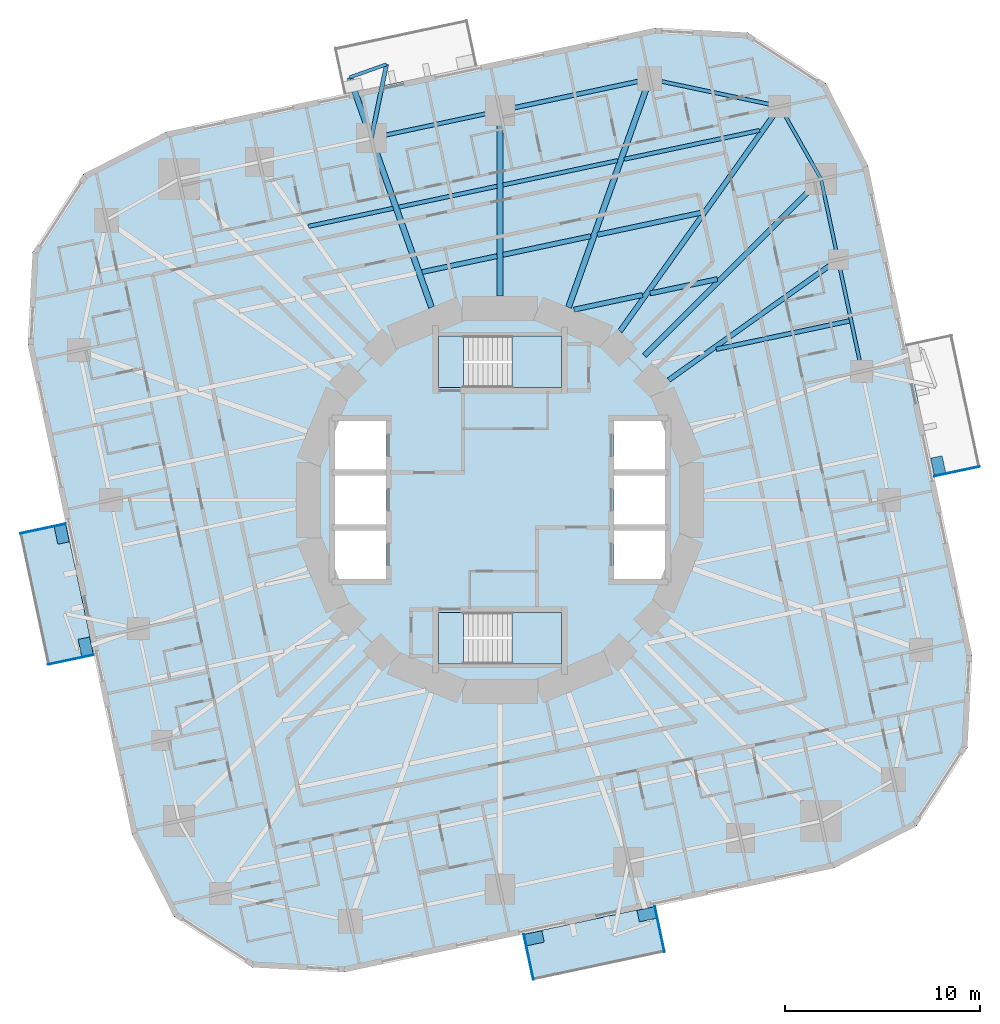
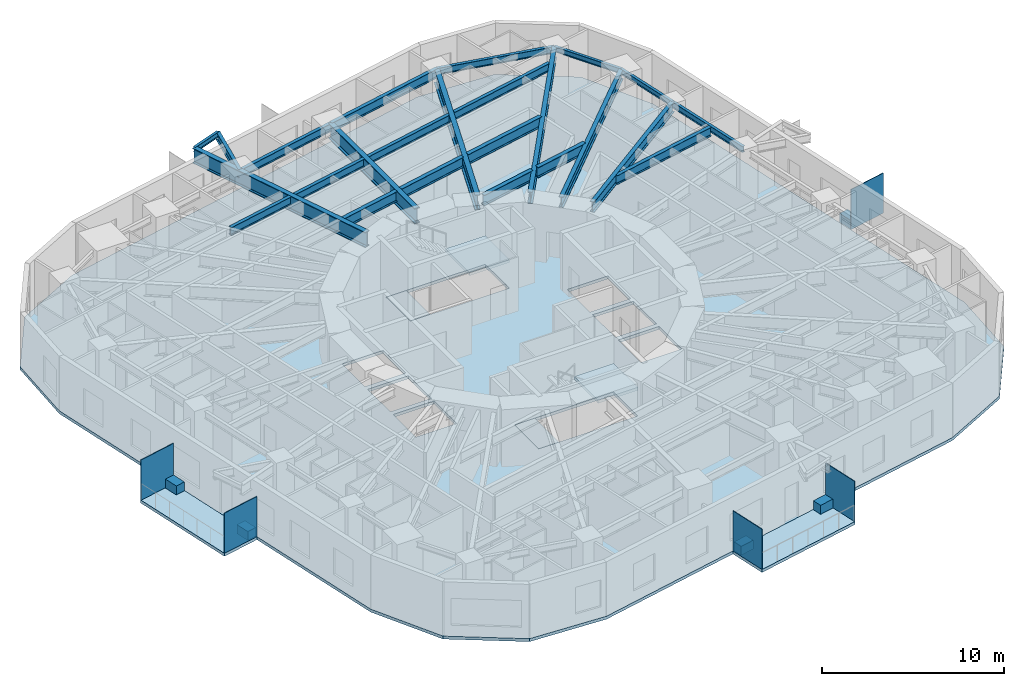
# One storey, part 3 of 14: 24 beams, 10 plates, 7 slabs, 2 elements without a shape of their own.
"""IFC4 building model written with IfcOpenShell, lengths in metres."""

from ifc_helpers import new_model, si_unit, direction, frame, origin, origin_2d, place, context, subcontext, project, spatial, polyline, rectangle, i_section, outline, extrude, material, layer, layer_set, material_profile, profile_set, type_object, element, aggregate, save


model = new_model("IFC4")

# Units and contexts
model_context = context("Model", 3, precision=1e-05, world=origin(), true_north=direction((0.0, 1.0)))
body_context = subcontext(model_context, "Body", "Model", "MODEL_VIEW")
ifc_project = project(units=[si_unit("LENGTHUNIT", "METRE"), si_unit("AREAUNIT", "SQUARE_METRE"), si_unit("VOLUMEUNIT", "CUBIC_METRE"), si_unit("PLANEANGLEUNIT", "RADIAN"), si_unit("MASSUNIT", "GRAM", prefix="KILO")], contexts=[model_context])

# Site, building, storey
site_placement = place(None, origin())
site = spatial("IfcSite", under=ifc_project, at=site_placement, CompositionType="ELEMENT")
building_placement = place(site_placement, origin())
building = spatial("IfcBuilding", under=site, at=building_placement, Name="Nakasero Lantern House", CompositionType="ELEMENT")
storey_placement = place(building_placement, frame((0.0, 0.0, 112.699951171875)))
storey = spatial("IfcBuildingStorey", under=building, at=storey_placement, Name="L27", CompositionType="ELEMENT", Elevation=112.699951171875)

# Beams
ifc_material_1 = material(Name="Steel S355", Category="steel")
ifc_material_profile_1 = material_profile(ifc_material_1, i_section(OverallWidth=0.2138671875, OverallDepth=0.549072265625, WebThickness=0.0146484375, FlangeThickness=0.023681640625, FilletRadius=0.0126953125, at=origin_2d()), Name="UB 533x210x138")
ifc_profile_set_1 = profile_set([ifc_material_profile_1], Name="Steel S355")
beam_type_1 = type_object("IfcBeamType", Name="Balcony splay beam UB 533x210x138", PredefinedType="BEAM", material=ifc_profile_set_1)
beam_1_placement = place(storey_placement, frame((-6.590087890625, 18.534912109375, 3.37548828125), z_axis=(0.201831438605, 0.979420272605, 0.0), x_axis=(-0.979420272605, 0.201831438605, 0.0)))
element("IfcBeam", 1, at=beam_1_placement, inside=storey, type_object=beam_type_1, Name="Balcony splay beam L28 B3-C10A", PredefinedType="BEAM", context=body_context, shape_type="SweptSolid", body=[
    extrude(i_section(OverallWidth=0.2138671875, OverallDepth=0.549072265625, WebThickness=0.0146484375, FlangeThickness=0.023681640625, FilletRadius=0.0126953125, at=origin_2d()), origin(), (0.0, 0.0, 1.0), 3.858642578125),
])
ifc_material_2 = material(Name="Steel S355", Category="steel")
ifc_material_profile_2 = material_profile(ifc_material_2, i_section(OverallWidth=0.17138671875, OverallDepth=0.35498046875, WebThickness=0.00732421875, FlangeThickness=0.011474609375, FilletRadius=0.01025390625, at=origin_2d()), Name="UB 356x171x51")
ifc_profile_set_2 = profile_set([ifc_material_profile_2], Name="Steel S355")
beam_type_2 = type_object("IfcBeamType", Name="Balcony tie beam UB 356x171x51", PredefinedType="BEAM", material=ifc_profile_set_2)
beam_2_placement = place(storey_placement, frame((-5.811279296875, 22.314208984375, 3.47265625), z_axis=(-0.942196708721, -0.335060236487, 0.0), x_axis=(0.335060236487, -0.942196708721, 0.0)))
element("IfcBeam", 2, at=beam_2_placement, inside=storey, type_object=beam_type_2, Name="Balcony tie beam L28 B3-C10", PredefinedType="BEAM", context=body_context, shape_type="SweptSolid", body=[
    extrude(i_section(OverallWidth=0.17138671875, OverallDepth=0.35498046875, WebThickness=0.00732421875, FlangeThickness=0.011474609375, FilletRadius=0.01025390625, at=origin_2d()), origin(), (0.0, 0.0, 1.0), 2.000244140625),
])
ifc_material_3 = material(Name="Steel S355", Category="steel")
ifc_material_profile_3 = material_profile(ifc_material_3, i_section(OverallWidth=0.2099609375, OverallDepth=0.53662109375, WebThickness=0.0107421875, FlangeThickness=0.017333984375, FilletRadius=0.0126953125, at=origin_2d()), Name="UB 533x210x101")
ifc_profile_set_3 = profile_set([ifc_material_profile_3], Name="Steel S355")
beam_type_3 = type_object("IfcBeamType", Name="Infill beam UB 533x210x101", PredefinedType="JOIST", material=ifc_profile_set_3)
beam_3_placement = place(storey_placement, frame((-9.810302734375, 14.0166015625, 3.381591796875), z_axis=(0.978149057111, 0.207904838982, 0.0), x_axis=(-0.207904838982, 0.978149057111, 0.0)))
element("IfcBeam", 3, at=beam_3_placement, inside=storey, type_object=beam_type_3, Name="Infill beam L28 12.4", PredefinedType="JOIST", context=body_context, shape_type="SweptSolid", body=[
    extrude(i_section(OverallWidth=0.2099609375, OverallDepth=0.53662109375, WebThickness=0.0107421875, FlangeThickness=0.017333984375, FilletRadius=0.0126953125, at=origin_2d()), origin(), (0.0, 0.0, 1.0), 4.435302734375),
])
beam_4_placement = place(storey_placement, frame((-5.173828125, 15.002197265625, 3.381591796875), z_axis=(0.978153894908, 0.207882076853, 0.0), x_axis=(-0.207882076853, 0.978153894908, 0.0)))
element("IfcBeam", 4, at=beam_4_placement, inside=storey, type_object=beam_type_3, Name="Infill beam L28 12.5", PredefinedType="JOIST", context=body_context, shape_type="SweptSolid", body=[
    extrude(i_section(OverallWidth=0.2099609375, OverallDepth=0.53662109375, WebThickness=0.0107421875, FlangeThickness=0.017333984375, FilletRadius=0.0126953125, at=origin_2d()), origin(), (0.0, 0.0, 1.0), 5.13330078125),
])
beam_5_placement = place(storey_placement, frame((0.152587890625, 16.13427734375, 3.381591796875), z_axis=(0.978149438519, 0.207903044531, 0.0), x_axis=(-0.207903044531, 0.978149438519, 0.0)))
element("IfcBeam", 5, at=beam_5_placement, inside=storey, type_object=beam_type_3, Name="Infill beam L28 12.6", PredefinedType="JOIST", context=body_context, shape_type="SweptSolid", body=[
    extrude(i_section(OverallWidth=0.2099609375, OverallDepth=0.53662109375, WebThickness=0.0107421875, FlangeThickness=0.017333984375, FilletRadius=0.0126953125, at=origin_2d()), origin(), (0.0, 0.0, 1.0), 5.99951171875),
])
beam_6_placement = place(storey_placement, frame((6.365478515625, 17.454833984375, 3.381591796875), z_axis=(0.978149480204, 0.207902848411, 0.0), x_axis=(-0.207902848411, 0.978149480204, 0.0)))
element("IfcBeam", 6, at=beam_6_placement, inside=storey, type_object=beam_type_3, Name="Infill beam L28 12.7", PredefinedType="JOIST", context=body_context, shape_type="SweptSolid", body=[
    extrude(i_section(OverallWidth=0.2099609375, OverallDepth=0.53662109375, WebThickness=0.0107421875, FlangeThickness=0.017333984375, FilletRadius=0.0126953125, at=origin_2d()), origin(), (0.0, 0.0, 1.0), 7.085693359375),
])
ifc_material_4 = material(Name="Steel S355", Category="steel")
ifc_material_profile_4 = material_profile(ifc_material_4, i_section(OverallWidth=0.2275390625, OverallDepth=0.6025390625, WebThickness=0.010498046875, FlangeThickness=0.014892578125, FilletRadius=0.0126953125, at=origin_2d()), Name="UB 610x229x101")
ifc_profile_set_4 = profile_set([ifc_material_profile_4], Name="Steel S355")
beam_type_4 = type_object("IfcBeamType", Name="Infill beam UB 610x229x101", PredefinedType="JOIST", material=ifc_profile_set_4)
beam_7_placement = place(storey_placement, frame((11.077880859375, 7.721923828125, 3.3486328125), z_axis=(0.978143535939, 0.207930813255, 0.0), x_axis=(-0.207930813255, 0.978143535939, 0.0)))
element("IfcBeam", 7, at=beam_7_placement, inside=storey, type_object=beam_type_4, Name="Infill beam L28 09.3", PredefinedType="JOIST", context=body_context, shape_type="SweptSolid", body=[
    extrude(i_section(OverallWidth=0.2275390625, OverallDepth=0.6025390625, WebThickness=0.010498046875, FlangeThickness=0.014892578125, FilletRadius=0.0126953125, at=origin_2d()), origin(), (0.0, 0.0, 1.0), 6.9697265625),
])
ifc_material_5 = material(Name="Steel S355", Category="steel")
ifc_material_profile_5 = material_profile(ifc_material_5, i_section(OverallWidth=0.253662109375, OverallDepth=0.68359375, WebThickness=0.012451171875, FlangeThickness=0.01904296875, FilletRadius=0.01513671875, at=origin_2d()), Name="UB 686x254x140")
ifc_profile_set_5 = profile_set([ifc_material_profile_5], Name="Steel S355")
beam_type_5 = type_object("IfcBeamType", Name="Infill beam UB 686x254x140", PredefinedType="JOIST", material=ifc_profile_set_5)
beam_8_placement = place(storey_placement, frame((-3.990966796875, 11.67529296875, 3.308349609375), z_axis=(0.978145250615, 0.20792274695, 0.0), x_axis=(-0.20792274695, 0.978145250615, 0.0)))
element("IfcBeam", 8, at=beam_8_placement, inside=storey, type_object=beam_type_5, Name="Infill beam L28 11.4", PredefinedType="JOIST", context=body_context, shape_type="SweptSolid", body=[
    extrude(i_section(OverallWidth=0.253662109375, OverallDepth=0.68359375, WebThickness=0.012451171875, FlangeThickness=0.01904296875, FilletRadius=0.01513671875, at=origin_2d()), origin(), (0.0, 0.0, 1.0), 3.924072265625),
])
beam_9_placement = place(storey_placement, frame((0.152587890625, 12.55615234375, 3.308349609375), z_axis=(0.978148041119, 0.207909618957, 0.0), x_axis=(-0.207909618957, 0.978148041119, 0.0)))
element("IfcBeam", 9, at=beam_9_placement, inside=storey, type_object=beam_type_5, Name="Infill beam L28 11.5", PredefinedType="JOIST", context=body_context, shape_type="SweptSolid", body=[
    extrude(i_section(OverallWidth=0.253662109375, OverallDepth=0.68359375, WebThickness=0.012451171875, FlangeThickness=0.01904296875, FilletRadius=0.01513671875, at=origin_2d()), origin(), (0.0, 0.0, 1.0), 4.592529296875),
])
beam_10_placement = place(storey_placement, frame((4.989013671875, 13.584228515625, 3.308349609375), z_axis=(0.978155764637, 0.207873278962, 0.0), x_axis=(-0.207873278962, 0.978155764637, 0.0)))
element("IfcBeam", 10, at=beam_10_placement, inside=storey, type_object=beam_type_5, Name="Infill beam L28 11.6", PredefinedType="JOIST", context=body_context, shape_type="SweptSolid", body=[
    extrude(i_section(OverallWidth=0.253662109375, OverallDepth=0.68359375, WebThickness=0.012451171875, FlangeThickness=0.01904296875, FilletRadius=0.01513671875, at=origin_2d()), origin(), (0.0, 0.0, 1.0), 5.428466796875),
])
ifc_material_6 = material(Name="Steel S355", Category="steel")
ifc_material_profile_6 = material_profile(ifc_material_6, i_section(OverallWidth=0.255859375, OverallDepth=0.69287109375, WebThickness=0.014404296875, FlangeThickness=0.023681640625, FilletRadius=0.01513671875, at=origin_2d()), Name="UB 686x254x170")
ifc_profile_set_6 = profile_set([ifc_material_profile_6], Name="Steel S355")
beam_type_6 = type_object("IfcBeamType", Name="Infill beam UB 686x254x170", PredefinedType="JOIST", material=ifc_profile_set_6)
beam_11_placement = place(storey_placement, frame((3.78759765625, 9.75048828125, 3.3037109375), z_axis=(0.978149176892, 0.207904275439, 0.0), x_axis=(-0.207904275439, 0.978149176892, 0.0)))
element("IfcBeam", 11, at=beam_11_placement, inside=storey, type_object=beam_type_6, Name="Infill beam L28 10.4", PredefinedType="JOIST", context=body_context, shape_type="SweptSolid", body=[
    extrude(i_section(OverallWidth=0.255859375, OverallDepth=0.69287109375, WebThickness=0.014404296875, FlangeThickness=0.023681640625, FilletRadius=0.01513671875, at=origin_2d()), origin(), (0.0, 0.0, 1.0), 3.59228515625),
])
beam_12_placement = place(storey_placement, frame((7.686767578125, 10.579345703125, 3.3037109375), z_axis=(0.97814493323, 0.20792424004, 0.0), x_axis=(-0.20792424004, 0.97814493323, 0.0)))
element("IfcBeam", 12, at=beam_12_placement, inside=storey, type_object=beam_type_6, Name="Infill beam L28 10.5", PredefinedType="JOIST", context=body_context, shape_type="SweptSolid", body=[
    extrude(i_section(OverallWidth=0.255859375, OverallDepth=0.69287109375, WebThickness=0.014404296875, FlangeThickness=0.023681640625, FilletRadius=0.01513671875, at=origin_2d()), origin(), (0.0, 0.0, 1.0), 3.5224609375),
])
ifc_material_7 = material(Name="Steel S355", Category="steel")
ifc_material_profile_7 = material_profile(ifc_material_7, i_section(OverallWidth=0.300048828125, OverallDepth=0.989990234375, WebThickness=0.0166015625, FlangeThickness=0.031005859375, FilletRadius=0.030029296875, at=origin_2d()), Name="UB 1016x305x272")
ifc_profile_set_7 = profile_set([ifc_material_profile_7], Name="Steel S355")
beam_type_7 = type_object("IfcBeamType", Name="Primary beam UB 1016x305x272, span 12 to 15 m", PredefinedType="BEAM", material=ifc_profile_set_7)
beam_13_placement = place(storey_placement, frame((7.667724609375, 21.5654296875, 3.155029296875), z_axis=(-0.335011995103, -0.942213862739, 0.0), x_axis=(0.942213862739, -0.335011995103, 0.0)))
element("IfcBeam", 13, at=beam_13_placement, inside=storey, type_object=beam_type_7, Name="Primary beam L28 B3-C08", PredefinedType="BEAM", context=body_context, shape_type="SweptSolid", body=[
    extrude(i_section(OverallWidth=0.300048828125, OverallDepth=0.989990234375, WebThickness=0.0166015625, FlangeThickness=0.031005859375, FilletRadius=0.030029296875, at=origin_2d()), origin(), (0.0, 0.0, 1.0), 12.41650390625),
])
ifc_material_8 = material(Name="Steel S355", Category="steel")
ifc_material_profile_8 = material_profile(ifc_material_8, i_section(OverallWidth=0.302001953125, OverallDepth=1.008056640625, WebThickness=0.02099609375, FlangeThickness=0.0400390625, FilletRadius=0.030029296875, at=origin_2d()), Name="UB 1016x305x349")
ifc_profile_set_8 = profile_set([ifc_material_profile_8], Name="Steel S355")
beam_type_8 = type_object("IfcBeamType", Name="Primary beam UB 1016x305x349, span 9 to 12 m", PredefinedType="BEAM", material=ifc_profile_set_8)
beam_14_placement = place(storey_placement, frame((-7.69580078125, 21.64404296875, 3.14599609375), z_axis=(0.335020841845, -0.942210717159, 0.0), x_axis=(0.942210717159, 0.335020841845, 0.0)))
element("IfcBeam", 14, at=beam_14_placement, inside=storey, type_object=beam_type_8, Name="Primary beam L28 B3-C10", PredefinedType="BEAM", context=body_context, shape_type="SweptSolid", body=[
    extrude(i_section(OverallWidth=0.302001953125, OverallDepth=1.008056640625, WebThickness=0.02099609375, FlangeThickness=0.0400390625, FilletRadius=0.030029296875, at=origin_2d()), origin(), (0.0, 0.0, 1.0), 12.5),
])
ifc_material_9 = material(Name="Steel S355", Category="steel")
ifc_material_profile_9 = material_profile(ifc_material_9, i_section(OverallWidth=0.305419921875, OverallDepth=1.026123046875, WebThickness=0.02685546875, FlangeThickness=0.049072265625, FilletRadius=0.030029296875, at=origin_2d()), Name="UB 1016x305x437")
ifc_profile_set_9 = profile_set([ifc_material_profile_9], Name="Steel S355")
beam_type_9 = type_object("IfcBeamType", Name="Primary beam UB 1016x305x437, span 9 to 12 m", PredefinedType="BEAM", material=ifc_profile_set_9)
beam_15_placement = place(storey_placement, frame((0.0, 19.935546875, 3.136962890625), z_axis=(0.0, -1.0, 0.0), x_axis=(1.0, 0.0, 0.0)))
element("IfcBeam", 15, at=beam_15_placement, inside=storey, type_object=beam_type_9, Name="Primary beam L28 B3-C09", PredefinedType="BEAM", context=body_context, shape_type="SweptSolid", body=[
    extrude(i_section(OverallWidth=0.305419921875, OverallDepth=1.026123046875, WebThickness=0.02685546875, FlangeThickness=0.049072265625, FilletRadius=0.030029296875, at=origin_2d()), origin(), (0.0, 0.0, 1.0), 9.477783203125),
])
ifc_material_10 = material(Name="Steel S355", Category="steel")
ifc_material_profile_10 = material_profile(ifc_material_10, i_section(OverallWidth=0.253662109375, OverallDepth=0.68359375, WebThickness=0.012451171875, FlangeThickness=0.01904296875, FilletRadius=0.01513671875, at=origin_2d()), Name="UB 686x254x140")
ifc_profile_set_10 = profile_set([ifc_material_profile_10], Name="Steel S355")
beam_type_10 = type_object("IfcBeamType", Name="Primary beam UB 686x254x140, span 12 to 15 m", PredefinedType="BEAM", material=ifc_profile_set_10)
beam_16_placement = place(storey_placement, frame((16.44091796875, 16.44091796875, 3.308349609375), z_axis=(-0.707106781187, -0.707106781187, 0.0), x_axis=(0.707106781187, -0.707106781187, 0.0)))
element("IfcBeam", 16, at=beam_16_placement, inside=storey, type_object=beam_type_10, Name="Primary beam L28 B3-C06", PredefinedType="BEAM", context=body_context, shape_type="SweptSolid", body=[
    extrude(i_section(OverallWidth=0.253662109375, OverallDepth=0.68359375, WebThickness=0.012451171875, FlangeThickness=0.01904296875, FilletRadius=0.01513671875, at=origin_2d()), origin(), (0.0, 0.0, 1.0), 12.793212890625),
])
ifc_material_11 = material(Name="Steel S355", Category="steel")
ifc_material_profile_11 = material_profile(ifc_material_11, i_section(OverallWidth=0.253662109375, OverallDepth=0.68359375, WebThickness=0.012451171875, FlangeThickness=0.01904296875, FilletRadius=0.01513671875, at=origin_2d()), Name="UB 686x254x140")
ifc_profile_set_11 = profile_set([ifc_material_profile_11], Name="Steel S355")
beam_type_11 = type_object("IfcBeamType", Name="Primary beam UB 686x254x140, span 9 to 12 m", PredefinedType="BEAM", material=ifc_profile_set_11)
beam_17_placement = place(storey_placement, frame((17.318115234375, 12.31494140625, 3.308349609375), z_axis=(-0.814957491022, -0.579520739774, 0.0), x_axis=(0.579520739774, -0.814957491022, 0.0)))
element("IfcBeam", 17, at=beam_17_placement, inside=storey, type_object=beam_type_11, Name="Primary beam L28 B3-C05", PredefinedType="BEAM", context=body_context, shape_type="SweptSolid", body=[
    extrude(i_section(OverallWidth=0.253662109375, OverallDepth=0.68359375, WebThickness=0.012451171875, FlangeThickness=0.01904296875, FilletRadius=0.01513671875, at=origin_2d()), origin(), (0.0, 0.0, 1.0), 10.64453125),
])
ifc_material_12 = material(Name="Steel S355", Category="steel")
ifc_material_profile_12 = material_profile(ifc_material_12, i_section(OverallWidth=0.2666015625, OverallDepth=0.76220703125, WebThickness=0.014404296875, FlangeThickness=0.021484375, FilletRadius=0.0166015625, at=origin_2d()), Name="UB 762x267x173")
ifc_profile_set_12 = profile_set([ifc_material_profile_12], Name="Steel S355")
beam_type_12 = type_object("IfcBeamType", Name="Primary beam UB 762x267x173, span 12 to 15 m", PredefinedType="BEAM", material=ifc_profile_set_12)
beam_18_placement = place(storey_placement, frame((14.33349609375, 20.15625, 3.26904296875), z_axis=(-0.57953679421, -0.814946074386, 0.0), x_axis=(0.814946074386, -0.57953679421, 0.0)))
element("IfcBeam", 18, at=beam_18_placement, inside=storey, type_object=beam_type_12, Name="Primary beam L28 B3-C07", PredefinedType="BEAM", context=body_context, shape_type="SweptSolid", body=[
    extrude(i_section(OverallWidth=0.2666015625, OverallDepth=0.76220703125, WebThickness=0.014404296875, FlangeThickness=0.021484375, FilletRadius=0.0166015625, at=origin_2d()), origin(), (0.0, 0.0, 1.0), 14.127197265625),
])
ifc_material_13 = material(Name="Steel S355", Category="steel")
ifc_material_profile_13 = material_profile(ifc_material_13, i_section(OverallWidth=0.17138671875, OverallDepth=0.35498046875, WebThickness=0.00732421875, FlangeThickness=0.011474609375, FilletRadius=0.01025390625, at=origin_2d()), Name="UB 356x171x51")
ifc_profile_set_13 = profile_set([ifc_material_profile_13], Name="Steel S355")
beam_type_13 = type_object("IfcBeamType", Name="Ring beam UB 356x171x51", PredefinedType="BEAM", material=ifc_profile_set_13)
beam_19_placement = place(storey_placement, frame((17.318115234375, 12.31494140625, 3.47265625), z_axis=(-0.207955665195, 0.978138252658, 0.0), x_axis=(-0.978138252658, -0.207955665195, 0.0)))
element("IfcBeam", 19, at=beam_19_placement, inside=storey, type_object=beam_type_13, Name="Ring beam L28 B3-C05", PredefinedType="BEAM", context=body_context, shape_type="SweptSolid", body=[
    extrude(i_section(OverallWidth=0.17138671875, OverallDepth=0.35498046875, WebThickness=0.00732421875, FlangeThickness=0.011474609375, FilletRadius=0.01025390625, at=origin_2d()), origin(), (0.0, 0.0, 1.0), 4.21826171875),
])
beam_20_placement = place(storey_placement, frame((16.44091796875, 16.44091796875, 3.47265625), z_axis=(-0.493378832737, 0.869814536213, 0.0), x_axis=(-0.869814536213, -0.493378832737, 0.0)))
element("IfcBeam", 20, at=beam_20_placement, inside=storey, type_object=beam_type_13, Name="Ring beam L28 B3-C06", PredefinedType="BEAM", context=body_context, shape_type="SweptSolid", body=[
    extrude(i_section(OverallWidth=0.17138671875, OverallDepth=0.35498046875, WebThickness=0.00732421875, FlangeThickness=0.011474609375, FilletRadius=0.01025390625, at=origin_2d()), origin(), (0.0, 0.0, 1.0), 4.271484375),
])
ifc_material_14 = material(Name="Steel S355", Category="steel")
ifc_material_profile_14 = material_profile(ifc_material_14, i_section(OverallWidth=0.177978515625, OverallDepth=0.406494140625, WebThickness=0.0078125, FlangeThickness=0.0126953125, FilletRadius=0.01025390625, at=origin_2d()), Name="UB 406x178x60")
ifc_profile_set_14 = profile_set([ifc_material_profile_14], Name="Steel S355")
beam_type_14 = type_object("IfcBeamType", Name="Ring beam UB 406x178x60", PredefinedType="BEAM", material=ifc_profile_set_14)
beam_21_placement = place(storey_placement, frame((18.534912109375, 6.590087890625, 3.44677734375), z_axis=(-0.207902159541, 0.978149626621, 0.0), x_axis=(-0.978149626621, -0.207902159541, 0.0)))
element("IfcBeam", 21, at=beam_21_placement, inside=storey, type_object=beam_type_14, Name="Ring beam L28 B3-C04", PredefinedType="BEAM", context=body_context, shape_type="SweptSolid", body=[
    extrude(i_section(OverallWidth=0.177978515625, OverallDepth=0.406494140625, WebThickness=0.0078125, FlangeThickness=0.0126953125, FilletRadius=0.01025390625, at=origin_2d()), origin(), (0.0, 0.0, 1.0), 5.852783203125),
])
ifc_material_15 = material(Name="Steel S355", Category="steel")
ifc_material_profile_15 = material_profile(ifc_material_15, i_section(OverallWidth=0.18994140625, OverallDepth=0.453369140625, WebThickness=0.008544921875, FlangeThickness=0.0126953125, FilletRadius=0.01025390625, at=origin_2d()), Name="UB 457x191x67")
ifc_profile_set_15 = profile_set([ifc_material_profile_15], Name="Steel S355")
beam_type_15 = type_object("IfcBeamType", Name="Ring beam UB 457x191x67", PredefinedType="BEAM", material=ifc_profile_set_15)
beam_22_placement = place(storey_placement, frame((14.33349609375, 20.15625, 3.42333984375), z_axis=(-0.978376066473, 0.206833925052, 0.0), x_axis=(-0.206833925052, -0.978376066473, 0.0)))
element("IfcBeam", 22, at=beam_22_placement, inside=storey, type_object=beam_type_15, Name="Ring beam L28 B3-C07", PredefinedType="BEAM", context=body_context, shape_type="SweptSolid", body=[
    extrude(i_section(OverallWidth=0.18994140625, OverallDepth=0.453369140625, WebThickness=0.008544921875, FlangeThickness=0.0126953125, FilletRadius=0.01025390625, at=origin_2d()), origin(), (0.0, 0.0, 1.0), 6.81298828125),
])
ifc_material_16 = material(Name="Steel S355", Category="steel")
ifc_material_profile_16 = material_profile(ifc_material_16, i_section(OverallWidth=0.2099609375, OverallDepth=0.53662109375, WebThickness=0.0107421875, FlangeThickness=0.017333984375, FilletRadius=0.0126953125, at=origin_2d()), Name="UB 533x210x101")
ifc_profile_set_16 = profile_set([ifc_material_profile_16], Name="Steel S355")
beam_type_16 = type_object("IfcBeamType", Name="Ring beam UB 533x210x101", PredefinedType="BEAM", material=ifc_profile_set_16)
beam_23_placement = place(storey_placement, frame((0.0, 19.935546875, 3.381591796875), z_axis=(-0.978151574702, -0.20789299389, 0.0), x_axis=(0.20789299389, -0.978151574702, 0.0)))
element("IfcBeam", 23, at=beam_23_placement, inside=storey, type_object=beam_type_16, Name="Ring beam L28 B3-C09", PredefinedType="BEAM", context=body_context, shape_type="SweptSolid", body=[
    extrude(i_section(OverallWidth=0.2099609375, OverallDepth=0.53662109375, WebThickness=0.0107421875, FlangeThickness=0.017333984375, FilletRadius=0.0126953125, at=origin_2d()), origin(), (0.0, 0.0, 1.0), 6.7373046875),
])
ifc_material_17 = material(Name="Steel S355", Category="steel")
ifc_material_profile_17 = material_profile(ifc_material_17, i_section(OverallWidth=0.22900390625, OverallDepth=0.6123046875, WebThickness=0.011962890625, FlangeThickness=0.01953125, FilletRadius=0.0126953125, at=origin_2d()), Name="UB 610x229x125")
ifc_profile_set_17 = profile_set([ifc_material_profile_17], Name="Steel S355")
beam_type_17 = type_object("IfcBeamType", Name="Ring beam UB 610x229x125", PredefinedType="BEAM", material=ifc_profile_set_17)
beam_24_placement = place(storey_placement, frame((7.667724609375, 21.5654296875, 3.343994140625), z_axis=(-0.978146105516, -0.207918725139, 0.0), x_axis=(0.207918725139, -0.978146105516, 0.0)))
element("IfcBeam", 24, at=beam_24_placement, inside=storey, type_object=beam_type_17, Name="Ring beam L28 B3-C08", PredefinedType="BEAM", context=body_context, shape_type="SweptSolid", body=[
    extrude(i_section(OverallWidth=0.22900390625, OverallDepth=0.6123046875, WebThickness=0.011962890625, FlangeThickness=0.01953125, FilletRadius=0.0126953125, at=origin_2d()), origin(), (0.0, 0.0, 1.0), 7.839111328125),
])

# Plates
ifc_material_18 = material(Name="Aluminium 6063-T6", Category="aluminium")
ifc_layer_1 = layer(ifc_material_18, 0.60009765625)
ifc_layer_set_1 = layer_set([ifc_layer_1], Name="Balcony planter 600x900")
plate_type_1 = type_object("IfcPlateType", Name="Balcony planter 600x900", PredefinedType="USERDEFINED", material=ifc_layer_set_1)
for number, where, z_axis, x_axis, name in (
    (25, (22.443603515625, 1.764892578125, 0.0), (0.0, 0.0, 1.0), (0.978147600734, 0.207911690818, 0.0), "Balcony PLANTER L27 BAL0A"),
    (26, (-22.443603515625, -1.764892578125, 0.0), (0.0, 0.0, 1.0), (-0.978147600734, -0.207911690818, 0.0), "Balcony PLANTER L27 BAL2A"),
    (27, (-21.220947265625, -7.516357421875, 0.0), (0.0, 0.0, 1.0), (-0.978147600734, -0.207911690818, 0.0), "Balcony PLANTER L27 BAL2B"),
    (28, (1.764892578125, -22.443603515625, 0.0), (0.0, 0.0, 1.0), (0.207911690818, -0.978147600734, 0.0), "Balcony PLANTER L27 BAL3A"),
    (29, (7.516357421875, -21.220947265625, 0.0), (0.0, 0.0, 1.0), (0.207911690818, -0.978147600734, 0.0), "Balcony PLANTER L27 BAL3B"),
):
    element("IfcPlate", number, at=place(storey_placement, frame(where, z_axis=z_axis, x_axis=x_axis)), inside=storey, type_object=plate_type_1, Name=name, ObjectType="PLANTER", PredefinedType="USERDEFINED", context=body_context, shape_type="SweptSolid", body=[
        extrude(rectangle(XDim=0.60009765625, YDim=0.89990234375, at=origin_2d()), origin(), (0.0, 0.0, 1.0), 0.60009765625),
    ])
ifc_material_19 = material(Name="Aluminium 6063-T6", Category="aluminium")
ifc_layer_2 = layer(ifc_material_19, 0.0400390625)
ifc_layer_set_2 = layer_set([ifc_layer_2], Name="Balcony screen 2400x2700")
plate_type_2 = type_object("IfcPlateType", Name="Balcony screen 2400x2700", PredefinedType="SHEET", material=ifc_layer_set_2)
for number, where, z_axis, x_axis, name in (
    (30, (23.40625, 1.468505859375, 0.0), (0.0, 0.0, 1.0), (0.978147600734, 0.207911690818, 0.0), "Balcony SCREEN L27 BAL0A"),
    (31, (-23.40625, -1.468505859375, 0.0), (0.0, 0.0, 1.0), (-0.978147600734, -0.207911690818, 0.0), "Balcony SCREEN L27 BAL2A"),
    (32, (-21.97998046875, -8.1787109375, 0.0), (0.0, 0.0, 1.0), (-0.978147600734, -0.207911690818, 0.0), "Balcony SCREEN L27 BAL2B"),
    (33, (1.468505859375, -23.40625, 0.0), (0.0, 0.0, 1.0), (0.207911690818, -0.978147600734, 0.0), "Balcony SCREEN L27 BAL3A"),
    (34, (8.1787109375, -21.97998046875, 0.0), (0.0, 0.0, 1.0), (0.207911690818, -0.978147600734, 0.0), "Balcony SCREEN L27 BAL3B"),
):
    element("IfcPlate", number, at=place(storey_placement, frame(where, z_axis=z_axis, x_axis=x_axis)), inside=storey, type_object=plate_type_2, Name=name, PredefinedType="SHEET", context=body_context, shape_type="SweptSolid", body=[
        extrude(rectangle(XDim=2.39990234375, YDim=0.0400390625, at=origin_2d()), origin(), (0.0, 0.0, 1.0), 2.699951171875),
    ])

# Slabs
ifc_material_20 = material(Name="Concrete C35/45", Category="concrete")
ifc_layer_3 = layer(ifc_material_20, 0.199951171875)
ifc_layer_set_3 = layer_set([ifc_layer_3], Name="Balcony slab 200")
slab_type_1 = type_object("IfcSlabType", Name="Balcony slab 200", PredefinedType="USERDEFINED", material=ifc_layer_set_3)
slab_1_placement = place(storey_placement, frame((0.0, 0.0, -0.199951171875)))
element("IfcSlab", 35, at=slab_1_placement, inside=storey, type_object=slab_type_1, Name="Balcony L27 BAL2", ObjectType="BALCONY", PredefinedType="USERDEFINED", context=body_context, shape_type="SweptSolid", body=[
    extrude(outline(polyline([(-22.236572265625, -1.199462890625), (-24.583984375, -1.698486328125), (-23.1494140625, -8.44775390625), (-20.802001953125, -7.94873046875), (-22.236572265625, -1.199462890625)])), origin(), (0.0, 0.0, 1.0), 0.199951171875),
])
slab_2_placement = place(storey_placement, frame((0.0, 0.0, -0.199951171875)))
element("IfcSlab", 36, at=slab_2_placement, inside=storey, type_object=slab_type_1, Name="Balcony L27 BAL3", ObjectType="BALCONY", PredefinedType="USERDEFINED", context=body_context, shape_type="SweptSolid", body=[
    extrude(outline(polyline([(1.199462890625, -22.236572265625), (1.698486328125, -24.583984375), (8.44775390625, -23.1494140625), (7.94873046875, -20.802001953125), (1.199462890625, -22.236572265625)])), origin(), (0.0, 0.0, 1.0), 0.199951171875),
])
ifc_material_21 = material(Name="Concrete C35/45", Category="concrete")
ifc_layer_4 = layer(ifc_material_21, 0.199951171875)
ifc_layer_set_4 = layer_set([ifc_layer_4], Name="Composite floor slab 200")
slab_type_2 = type_object("IfcSlabType", Name="Composite floor slab 200", PredefinedType="FLOOR", material=ifc_layer_set_4)
slab_3_placement = place(storey_placement, frame((0.0, 0.0, -0.199951171875)))
element("IfcSlab", 37, at=slab_3_placement, inside=storey, type_object=slab_type_2, Name="Floor slab L27", PredefinedType="FLOOR", context=body_context, shape_type="SweptSolid", body=[
    extrude(outline(polyline([(18.85791015625, 17.09423828125), (16.696044921875, 21.337646484375), (12.701904296875, 23.931396484375), (7.9462890625, 24.180419921875), (-17.09423828125, 18.85791015625), (-21.337646484375, 16.696044921875), (-23.931396484375, 12.701904296875), (-24.180419921875, 7.9462890625), (-18.85791015625, -17.09423828125), (-16.696044921875, -21.337646484375), (-12.701904296875, -23.931396484375), (-7.9462890625, -24.180419921875), (17.09423828125, -18.85791015625), (21.337646484375, -16.696044921875), (23.931396484375, -12.701904296875), (24.180419921875, -7.9462890625), (18.85791015625, 17.09423828125)]), holes=[polyline([(-8.449951171875, -4.050048828125), (-5.85009765625, -4.050048828125), (-5.85009765625, -1.550048828125), (-8.449951171875, -1.550048828125), (-8.449951171875, -4.050048828125)]), polyline([(-8.449951171875, -1.25), (-5.85009765625, -1.25), (-5.85009765625, 1.25), (-8.449951171875, 1.25), (-8.449951171875, -1.25)]), polyline([(-8.449951171875, 1.550048828125), (-5.85009765625, 1.550048828125), (-5.85009765625, 4.050048828125), (-8.449951171875, 4.050048828125), (-8.449951171875, 1.550048828125)]), polyline([(5.85009765625, -4.050048828125), (8.449951171875, -4.050048828125), (8.449951171875, -1.550048828125), (5.85009765625, -1.550048828125), (5.85009765625, -4.050048828125)]), polyline([(5.85009765625, -1.25), (8.449951171875, -1.25), (8.449951171875, 1.25), (5.85009765625, 1.25), (5.85009765625, -1.25)]), polyline([(5.85009765625, 1.550048828125), (8.449951171875, 1.550048828125), (8.449951171875, 4.050048828125), (5.85009765625, 4.050048828125), (5.85009765625, 1.550048828125)]), polyline([(-3.14990234375, 5.75), (3.14990234375, 5.75), (3.14990234375, 8.39990234375), (-3.14990234375, 8.39990234375), (-3.14990234375, 5.75)]), polyline([(-3.14990234375, -8.39990234375), (3.14990234375, -8.39990234375), (3.14990234375, -5.75), (-3.14990234375, -5.75), (-3.14990234375, -8.39990234375)])]), origin(), (0.0, 0.0, 1.0), 0.199951171875),
])

# Stair, slabs
ifc_material_22 = material(Name="Concrete C40/50", Category="concrete")
stair_type_1 = type_object("IfcStairType", Name="Escape stair ST1 22 risers", PredefinedType="HALF_TURN_STAIR", material=ifc_material_22)
stair_1_placement = place(storey_placement, origin())
stair_1 = element("IfcStair", 38, at=stair_1_placement, inside=storey, type_object=stair_type_1, Name="Escape stair ST1 L27", PredefinedType="HALF_TURN_STAIR")
ifc_material_23 = material(Name="Concrete C40/50", Category="concrete")
ifc_layer_5 = layer(ifc_material_23, 0.199951171875)
ifc_layer_set_5 = layer_set([ifc_layer_5], Name="Stair landing 200")
slab_type_3 = type_object("IfcSlabType", Name="Stair landing 200", PredefinedType="LANDING", material=ifc_layer_set_5)
slab_4_placement = place(storey_placement, frame((0.0, 0.0, -0.199951171875)))
slab_4 = element("IfcSlab", 39, at=slab_4_placement, type_object=slab_type_3, Name="ST1 landing 1", PredefinedType="LANDING", context=body_context, shape_type="SweptSolid", body=[
    extrude(outline(polyline([(-3.14990234375, 5.75), (-1.875, 5.75), (-1.875, 8.39990234375), (-3.14990234375, 8.39990234375), (-3.14990234375, 5.75)])), origin(), (0.0, 0.0, 1.0), 0.199951171875),
])
slab_5_placement = place(storey_placement, frame((0.0, 0.0, 1.72509765625)))
slab_5 = element("IfcSlab", 40, at=slab_5_placement, type_object=slab_type_3, Name="ST1 landing 2", PredefinedType="LANDING", context=body_context, shape_type="SweptSolid", body=[
    extrude(outline(polyline([(0.625, 5.75), (3.14990234375, 5.75), (3.14990234375, 8.39990234375), (0.625, 8.39990234375), (0.625, 5.75)])), origin(), (0.0, 0.0, 1.0), 0.199951171875),
])
aggregate(stair_1, [slab_4, slab_5])

ifc_material_24 = material(Name="Concrete C40/50", Category="concrete")
stair_type_2 = type_object("IfcStairType", Name="Escape stair ST2 22 risers", PredefinedType="HALF_TURN_STAIR", material=ifc_material_24)
stair_2_placement = place(storey_placement, origin())
stair_2 = element("IfcStair", 41, at=stair_2_placement, inside=storey, type_object=stair_type_2, Name="Escape stair ST2 L27", PredefinedType="HALF_TURN_STAIR")
slab_6_placement = place(storey_placement, frame((0.0, 0.0, -0.199951171875)))
slab_6 = element("IfcSlab", 42, at=slab_6_placement, type_object=slab_type_3, Name="ST2 landing 1", PredefinedType="LANDING", context=body_context, shape_type="SweptSolid", body=[
    extrude(outline(polyline([(-3.14990234375, -8.39990234375), (-1.875, -8.39990234375), (-1.875, -5.75), (-3.14990234375, -5.75), (-3.14990234375, -8.39990234375)])), origin(), (0.0, 0.0, 1.0), 0.199951171875),
])
slab_7_placement = place(storey_placement, frame((0.0, 0.0, 1.72509765625)))
slab_7 = element("IfcSlab", 43, at=slab_7_placement, type_object=slab_type_3, Name="ST2 landing 2", PredefinedType="LANDING", context=body_context, shape_type="SweptSolid", body=[
    extrude(outline(polyline([(0.625, -8.39990234375), (3.14990234375, -8.39990234375), (3.14990234375, -5.75), (0.625, -5.75), (0.625, -8.39990234375)])), origin(), (0.0, 0.0, 1.0), 0.199951171875),
])
aggregate(stair_2, [slab_6, slab_7])

save(model, "model.ifc")
